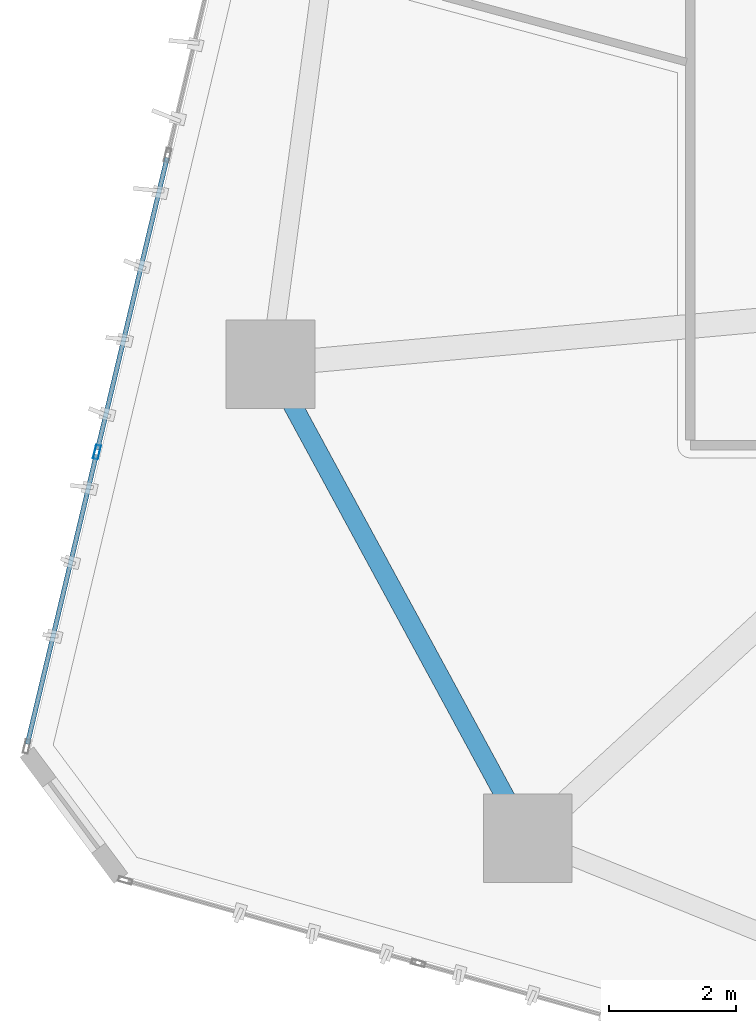
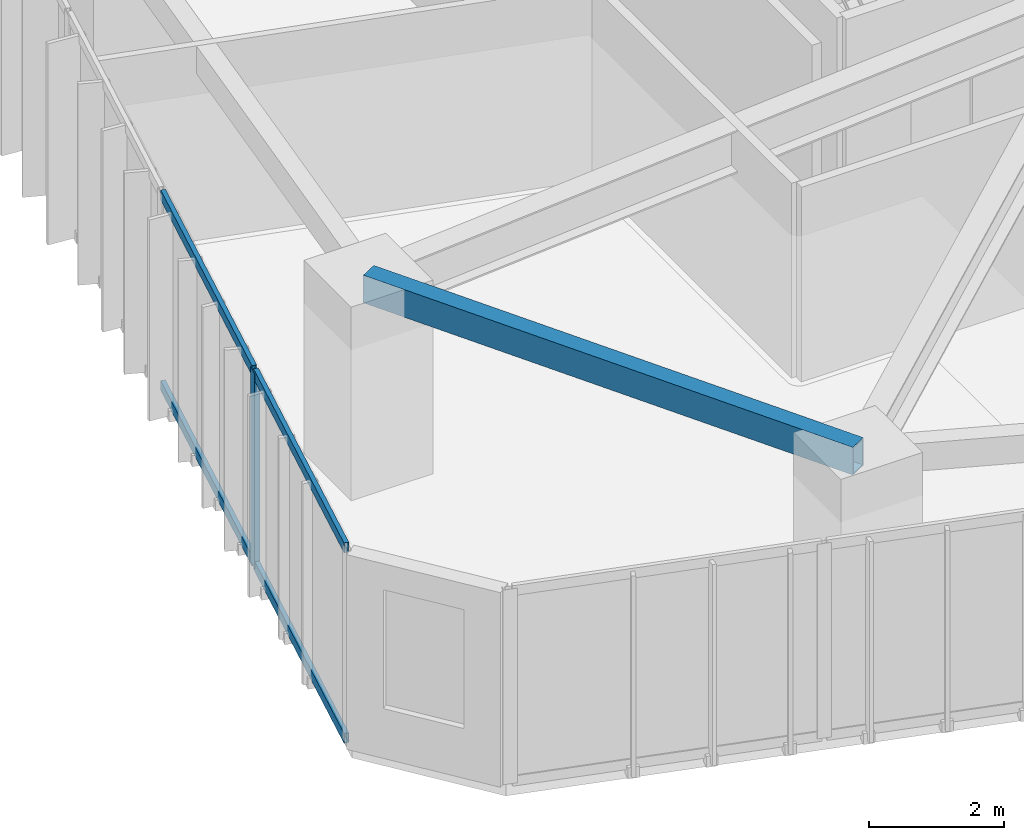
# One storey, part 3 of 24: 5 members, 1 beam, 1 element without a shape of its own.
"""IFC4 building model written with IfcOpenShell, lengths in metres."""

import ifcopenshell
import ifcopenshell.guid

model = None  # the IFC model being written
_history = None  # IfcOwnerHistory: only IFC2X3 demands one
_inside = {}  # id of a spatial element -> (the spatial element, [elements in it])
_under = {}  # id of a project, library or spatial element -> (it, [spatial elements below it])
_declared = {}  # id of a project -> (the project, [libraries it declares])
_typed = {}  # id of a type object -> (the type object, [elements of that type])
_made_of = {}  # id of a material, layer set ... -> (it, [elements and type objects made of it])


def new_model(schema):
    """Start an empty IFC model of exactly this schema.

    Asked for "IFC4X3", IfcOpenShell would pick the latest addendum, in which some entities
    have other attributes; the version numbers below select the first issue.
    IFC2X3 requires an IfcOwnerHistory on every rooted entity: one is made here for all.
    """
    global model, _history
    if schema == "IFC4X3":
        model = ifcopenshell.file(schema_version=(4, 3, 0, 0))
    else:
        model = ifcopenshell.file(schema=schema)
    _inside.clear()
    _under.clear()
    _declared.clear()
    _typed.clear()
    _made_of.clear()
    _history = None
    if model.schema == "IFC2X3":
        org = make("IfcOrganization", Name="unknown")
        user = make(
            "IfcPersonAndOrganization",
            ThePerson=make("IfcPerson", FamilyName="unknown"),
            TheOrganization=org,
        )
        app = make(
            "IfcApplication",
            ApplicationDeveloper=org,
            Version="unknown",
            ApplicationFullName="unknown",
            ApplicationIdentifier="unknown",
        )
        _history = make(
            "IfcOwnerHistory",
            OwningUser=user,
            OwningApplication=app,
            ChangeAction="ADDED",
            CreationDate=0,
        )
    return model


def make(cls, **values):
    """One entity of the class cls with the attributes given. An attribute that is None is left unset."""
    return model.create_entity(
        cls, **{name: value for name, value in values.items() if value is not None}
    )


def rooted(cls, **values):
    """An entity with a GlobalId (a new one), such as an element, a storey or a relation."""
    return make(cls, GlobalId=ifcopenshell.guid.new(), OwnerHistory=_history, **values)


def si_unit(unit_type, name, prefix=None):
    """IfcSIUnit, for example si_unit("LENGTHUNIT", "METRE", prefix="MILLI")."""
    return make("IfcSIUnit", UnitType=unit_type, Prefix=prefix, Name=name)


def assignment(units):
    """IfcUnitAssignment: the units of a project."""
    return None if units is None else make("IfcUnitAssignment", Units=units)


def point(xyz):
    """IfcCartesianPoint."""
    return None if xyz is None else make("IfcCartesianPoint", Coordinates=xyz)


def direction(xyz):
    """IfcDirection."""
    return None if xyz is None else make("IfcDirection", DirectionRatios=xyz)


def frame(location, z_axis=None, x_axis=None):
    """IfcAxis2Placement3D, a coordinate frame: its origin and axes. An axis left out is left unset."""
    return make(
        "IfcAxis2Placement3D",
        Location=point(location),
        Axis=direction(z_axis),
        RefDirection=direction(x_axis),
    )


def frame_2d(location, x_axis=None):
    """IfcAxis2Placement2D, a coordinate frame in the plane: its origin and x axis."""
    return make(
        "IfcAxis2Placement2D", Location=point(location), RefDirection=direction(x_axis)
    )


def origin():
    """The frame at (0, 0, 0) with its axes left unset."""
    return frame((0.0, 0.0, 0.0))


def origin_2d():
    """The frame at (0, 0) in the plane with its x axis left unset."""
    return frame_2d((0.0, 0.0))


def place(relative_to, where):
    """IfcLocalPlacement: puts the frame where relative to a parent placement (None: the world)."""
    return make(
        "IfcLocalPlacement", PlacementRelTo=relative_to, RelativePlacement=where
    )


def context(
    kind, dimensions, precision=None, world=None, true_north=None, identifier=None
):
    """IfcGeometricRepresentationContext, for example the 3D "Model" context."""
    return make(
        "IfcGeometricRepresentationContext",
        ContextIdentifier=identifier,
        ContextType=kind,
        CoordinateSpaceDimension=dimensions,
        Precision=precision,
        WorldCoordinateSystem=world,
        TrueNorth=true_north,
    )


def subcontext(parent, identifier, kind, view, scale=None):
    """IfcGeometricRepresentationSubContext, for example "Body" below "Model"."""
    return make(
        "IfcGeometricRepresentationSubContext",
        ContextIdentifier=identifier,
        ContextType=kind,
        ParentContext=parent,
        TargetScale=scale,
        TargetView=view,
    )


def project(units=None, contexts=None):
    """IfcProject with its units and contexts."""
    return rooted(
        "IfcProject",
        Name="project",
        RepresentationContexts=contexts,
        UnitsInContext=assignment(units),
    )


def spatial(cls, under=None, at=None, **own):
    """A site, building, storey or space (cls), placed at a placement, below another one or the project."""
    s = rooted(cls, ObjectPlacement=at, **own)
    if under is not None:
        _under.setdefault(under.id(), (under, []))[1].append(s)
    return s


def profile(cls, at=None, kind="AREA", **sizes):
    """A parametric profile (cls). Its sizes go by their IFC names, for example OverallWidth=200.0."""
    return make(cls, ProfileType=kind, Position=at, **sizes)


def hollow_rectangle(**sizes):
    """IfcRectangleHollowProfileDef."""
    return profile("IfcRectangleHollowProfileDef", **sizes)


def extrude(swept, where, along, depth):
    """IfcExtrudedAreaSolid: the profile swept, set in the frame where, extruded along a direction by depth."""
    return make(
        "IfcExtrudedAreaSolid",
        SweptArea=swept,
        Position=where,
        ExtrudedDirection=direction(along),
        Depth=depth,
    )


def shape(context_of_items, identifier, shape_type, items):
    """IfcShapeRepresentation: the items that make up one representation, for example the "Body"."""
    return make(
        "IfcShapeRepresentation",
        ContextOfItems=context_of_items,
        RepresentationIdentifier=identifier,
        RepresentationType=shape_type,
        Items=items,
    )


def source(mapping_origin, context_of_items, identifier, shape_type, items):
    """IfcRepresentationMap: a shape defined once, which mapped items show again and again."""
    return make(
        "IfcRepresentationMap",
        MappingOrigin=mapping_origin,
        MappedRepresentation=shape(context_of_items, identifier, shape_type, items),
    )


def transform(
    local_origin,
    x_axis=None,
    y_axis=None,
    z_axis=None,
    scale=None,
    scale2=None,
    scale3=None,
    uniform=True,
):
    """IfcCartesianTransformationOperator3D, or its non-uniform kind. x_axis, y_axis, z_axis: its Axis1, 2, 3."""
    if uniform:
        return make(
            "IfcCartesianTransformationOperator3D",
            Axis1=direction(x_axis),
            Axis2=direction(y_axis),
            LocalOrigin=point(local_origin),
            Scale=scale,
            Axis3=direction(z_axis),
        )
    return make(
        "IfcCartesianTransformationOperator3DnonUniform",
        Axis1=direction(x_axis),
        Axis2=direction(y_axis),
        LocalOrigin=point(local_origin),
        Scale=scale,
        Axis3=direction(z_axis),
        Scale2=scale2,
        Scale3=scale3,
    )


def mapped(mapping_source, mapping_target):
    """IfcMappedItem: shows the shape of a source again, moved by a transform."""
    return make(
        "IfcMappedItem", MappingSource=mapping_source, MappingTarget=mapping_target
    )


def material(Name=None, Category=None):
    """IfcMaterial."""
    return make("IfcMaterial", Name=Name, Category=Category)


def layer(
    of_material, thickness, ventilated=None, Name=None, Category=None, Priority=None
):
    """IfcMaterialLayer: one layer of a wall or slab, of a material (None: an air gap)."""
    return make(
        "IfcMaterialLayer",
        Material=of_material,
        LayerThickness=thickness,
        IsVentilated=ventilated,
        Name=Name,
        Category=Category,
        Priority=Priority,
    )


def layer_set(layers, Name=None):
    """IfcMaterialLayerSet."""
    return make("IfcMaterialLayerSet", MaterialLayers=layers, LayerSetName=Name)


def material_profile(
    of_material, cross_section, Name=None, Category=None, Priority=None
):
    """IfcMaterialProfile: a cross section and its material."""
    return make(
        "IfcMaterialProfile",
        Name=Name,
        Material=of_material,
        Profile=cross_section,
        Priority=Priority,
        Category=Category,
    )


def profile_set(profiles, Name=None, composite=None):
    """IfcMaterialProfileSet."""
    return make(
        "IfcMaterialProfileSet",
        Name=Name,
        MaterialProfiles=profiles,
        CompositeProfile=composite,
    )


def made_of(thing, what):
    """Note that an element or type object is made of a material, layer set ...; save() writes the relation."""
    if what is not None:
        _made_of.setdefault(what.id(), (what, []))[1].append(thing)
    return thing


def type_object(cls, material=None, **own):
    """A type object (cls), such as IfcWallType, which elements share."""
    return made_of(rooted(cls, **own), material)


def type_shapes(of_type, sources):
    """Give a type object the sources (RepresentationMaps) that its elements show as mapped items."""
    of_type.RepresentationMaps = sources


def element(
    cls,
    number,
    at=None,
    inside=None,
    cuts=None,
    type_object=None,
    material=None,
    context=None,
    identifier="Body",
    shape_type=None,
    held_by="IfcProductDefinitionShape",
    body=None,
    shapes=None,
    **own,
):
    """One element of the class cls, such as IfcWall. Its Tag is "e" and its number.

    at: its placement. inside: the storey or other place that contains it. cuts: it is an
    opening in that element (IfcRelVoidsElement). A single representation is given by context,
    identifier, shape_type and body (its items); several are given by shapes. held_by: the class
    of the entity that holds the representations. save() writes the other relations.
    """
    e = rooted(cls, Tag="e%d" % number, ObjectPlacement=at, **own)
    if body is not None:
        shapes = [shape(context, identifier, shape_type, body)]
    if shapes is not None:
        e.Representation = make(held_by, Representations=shapes)
    if inside is not None:
        _inside.setdefault(inside.id(), (inside, []))[1].append(e)
    if cuts is not None:
        rooted(
            "IfcRelVoidsElement", RelatingBuildingElement=cuts, RelatedOpeningElement=e
        )
    if type_object is not None:
        _typed.setdefault(type_object.id(), (type_object, []))[1].append(e)
    return made_of(e, material)


def aggregate(whole, parts):
    """IfcRelAggregates: a whole, such as a stair, and the parts it consists of."""
    return rooted("IfcRelAggregates", RelatingObject=whole, RelatedObjects=parts)


def save(model, path):
    """Write the relations noted so far, then the file.

    IfcRelAggregates (storeys below a building ...), IfcRelContainedInSpatialStructure (elements
    in a storey), IfcRelDefinesByType, IfcRelAssociatesMaterial and IfcRelDeclares: one each for
    every whole, place, type object, material and project.
    """
    for whole, parts in _under.values():
        aggregate(whole, parts)
    for where, things in _inside.values():
        rooted(
            "IfcRelContainedInSpatialStructure",
            RelatedElements=things,
            RelatingStructure=where,
        )
    for kind, things in _typed.values():
        rooted("IfcRelDefinesByType", RelatedObjects=things, RelatingType=kind)
    for what, things in _made_of.values():
        rooted("IfcRelAssociatesMaterial", RelatedObjects=things, RelatingMaterial=what)
    for by, libraries in _declared.values():
        rooted("IfcRelDeclares", RelatingContext=by, RelatedDefinitions=libraries)
    model.write(path)


model = new_model("IFC4")

# Units and contexts
model_context = context("Model", 3, precision=1e-05, world=origin(), true_north=direction((0.0, 1.0)))
body_context = subcontext(model_context, "Body", "Model", "MODEL_VIEW")
ifc_project = project(units=[si_unit("LENGTHUNIT", "METRE"), si_unit("AREAUNIT", "SQUARE_METRE"), si_unit("VOLUMEUNIT", "CUBIC_METRE"), si_unit("PLANEANGLEUNIT", "RADIAN"), si_unit("MASSUNIT", "GRAM", prefix="KILO")], contexts=[model_context])

# Site, building, storey
site_placement = place(None, origin())
site = spatial("IfcSite", under=ifc_project, at=site_placement, CompositionType="ELEMENT")
building_placement = place(site_placement, origin())
building = spatial("IfcBuilding", under=site, at=building_placement, Name="Talar Marvaseh", CompositionType="ELEMENT")
storey_placement = place(building_placement, frame((0.0, 0.0, 43.0)))
storey = spatial("IfcBuildingStorey", under=building, at=storey_placement, Name="L10", CompositionType="ELEMENT", Elevation=43.0)

# Beam
ifc_material_1 = material(Name="Steel S355", Category="steel")
ifc_material_profile_1 = material_profile(ifc_material_1, hollow_rectangle(XDim=0.300048828125, YDim=0.5, WallThickness=0.02001953125, at=origin_2d()), Name="RHS500x300x20")
ifc_profile_set_1 = profile_set([ifc_material_profile_1], Name="Steel S355")
beam_type = type_object("IfcBeamType", Name="Zone 1 Perimeter Spandrel Beam RHS500x300x20", PredefinedType="SPANDREL", material=ifc_profile_set_1)
beam_placement = place(storey_placement, frame((9.23193359375, 16.7958984375, 3.27001953125), z_axis=(-0.476758155578, 0.879034505062, 0.0), x_axis=(-0.879034505062, -0.476758155578, 0.0)))
element("IfcBeam", 1, at=beam_placement, inside=storey, type_object=beam_type, Name="L10 Zone 1 Perimeter Spandrel Beam RHS500x300x20", PredefinedType="SPANDREL", context=body_context, shape_type="SweptSolid", body=[
    extrude(hollow_rectangle(XDim=0.300048828125, YDim=0.5, WallThickness=0.02001953125, at=origin_2d()), origin(), (0.0, 0.0, 1.0), 8.50927734375),
])

# Curtain wall, members
ifc_material_2 = material(Name="Architectural Aluminium", Category="aluminium")
ifc_layer = layer(ifc_material_2, 0.219970703125)
ifc_layer_set = layer_set([ifc_layer], Name="Architectural Aluminium")
curtain_wall_type = type_object("IfcCurtainWallType", Name="Unitised Low-E Museum Curtain Wall Z1", PredefinedType="NOTDEFINED", material=ifc_layer_set)
curtain_wall_placement = place(storey_placement, origin())
curtain_wall = element("IfcCurtainWall", 2, at=curtain_wall_placement, inside=storey, type_object=curtain_wall_type, Name="L10 Unitised Low-E Museum Curtain Wall Z1", PredefinedType="NOTDEFINED")
ifc_material_profile_2 = material_profile(ifc_material_2, hollow_rectangle(XDim=0.080078125, YDim=0.219970703125, WallThickness=0.0048828125, at=origin_2d()), Name="RHS220x80x5")
ifc_profile_set_2 = profile_set([ifc_material_profile_2], Name="Architectural Aluminium")
member_type_1 = type_object("IfcMemberType", Name="Unitised Curtain Wall Heavy Mullion RHS220x80x5", PredefinedType="MULLION", material=ifc_profile_set_2)
shared_shape_1 = source(origin(), body_context, "Body", "SweptSolid", [
    extrude(hollow_rectangle(XDim=0.080078125, YDim=0.219970703125, WallThickness=0.0048828125, at=origin_2d()), origin(), (0.0, 0.0, 1.0), 3.52001953125),
])
type_shapes(member_type_1, [shared_shape_1])
member_1_placement = place(storey_placement, frame((2.43505859375, 22.891357421875, 0.0), z_axis=(0.0, 0.0, 1.0), x_axis=(-0.972760696779, 0.231811619213, 0.0)))
member_1 = element("IfcMember", 3, at=member_1_placement, type_object=member_type_1, Name="CW-Z1 mullion 2", PredefinedType="MULLION", context=body_context, shape_type="MappedRepresentation", body=[
    mapped(shared_shape_1, transform((0.0, 0.0, 0.0), x_axis=(1.0, 0.0, 0.0), y_axis=(0.0, 1.0, 0.0), z_axis=(0.0, 0.0, 1.0), scale=1.0)),
])
ifc_material_profile_3 = material_profile(ifc_material_2, hollow_rectangle(XDim=0.074951171875, YDim=0.179931640625, WallThickness=0.0048828125, at=origin_2d()), Name="RHS180x75x5")
ifc_profile_set_3 = profile_set([ifc_material_profile_3], Name="Architectural Aluminium")
member_type_2 = type_object("IfcMemberType", Name="Unitised Curtain Wall Transom RHS180x75x5", PredefinedType="USERDEFINED", material=ifc_profile_set_3)
shared_shape_2 = source(origin(), body_context, "Body", "SweptSolid", [
    extrude(hollow_rectangle(XDim=0.074951171875, YDim=0.179931640625, WallThickness=0.0048828125, at=origin_2d()), origin(), (0.0, 0.0, 1.0), 4.696533203125),
])
member_2_placement = place(storey_placement, frame((1.337158203125, 18.28369140625, 0.03759765625), z_axis=(0.231793875918, 0.972764924885, 0.0), x_axis=(-0.972764924885, 0.231793875918, 0.0)))
member_2 = element("IfcMember", 4, at=member_2_placement, type_object=member_type_2, Name="CW-Z1 transom 1.1", ObjectType="TRANSOM", PredefinedType="USERDEFINED", context=body_context, shape_type="MappedRepresentation", body=[
    mapped(shared_shape_2, transform((0.0, 0.0, 0.0), x_axis=(1.0, 0.0, 0.0), y_axis=(0.0, 1.0, 0.0), z_axis=(0.0, 0.0, 1.0), scale=1.0)),
])
member_3_placement = place(storey_placement, frame((1.337158203125, 18.28369140625, 3.482421875), z_axis=(0.231793875918, 0.972764924885, 0.0), x_axis=(-0.972764924885, 0.231793875918, 0.0)))
member_3 = element("IfcMember", 5, at=member_3_placement, type_object=member_type_2, Name="CW-Z1 transom 1.2", ObjectType="TRANSOM", PredefinedType="USERDEFINED", context=body_context, shape_type="MappedRepresentation", body=[
    mapped(shared_shape_2, transform((0.0, 0.0, 0.0), x_axis=(1.0, 0.0, 0.0), y_axis=(0.0, 1.0, 0.0), z_axis=(0.0, 0.0, 1.0), scale=1.0)),
])
shared_shape_3 = source(origin(), body_context, "Body", "SweptSolid", [
    extrude(hollow_rectangle(XDim=0.074951171875, YDim=0.179931640625, WallThickness=0.0048828125, at=origin_2d()), origin(), (0.0, 0.0, 1.0), 4.73681640625),
])
type_shapes(member_type_2, [shared_shape_2, shared_shape_3])
member_4_placement = place(storey_placement, frame((2.4443359375, 22.93017578125, 0.03759765625), z_axis=(0.23183653403, 0.972754759171, 0.0), x_axis=(-0.972754759171, 0.23183653403, 0.0)))
member_4 = element("IfcMember", 6, at=member_4_placement, type_object=member_type_2, Name="CW-Z1 transom 2.1", ObjectType="TRANSOM", PredefinedType="USERDEFINED", context=body_context, shape_type="MappedRepresentation", body=[
    mapped(shared_shape_3, transform((0.0, 0.0, 0.0), x_axis=(1.0, 0.0, 0.0), y_axis=(0.0, 1.0, 0.0), z_axis=(0.0, 0.0, 1.0), scale=1.0)),
])
member_5_placement = place(storey_placement, frame((2.4443359375, 22.93017578125, 3.482421875), z_axis=(0.23183653403, 0.972754759171, 0.0), x_axis=(-0.972754759171, 0.23183653403, 0.0)))
member_5 = element("IfcMember", 7, at=member_5_placement, type_object=member_type_2, Name="CW-Z1 transom 2.2", ObjectType="TRANSOM", PredefinedType="USERDEFINED", context=body_context, shape_type="MappedRepresentation", body=[
    mapped(shared_shape_3, transform((0.0, 0.0, 0.0), x_axis=(1.0, 0.0, 0.0), y_axis=(0.0, 1.0, 0.0), z_axis=(0.0, 0.0, 1.0), scale=1.0)),
])
aggregate(curtain_wall, [member_1, member_2, member_3, member_4, member_5])

save(model, "model.ifc")
